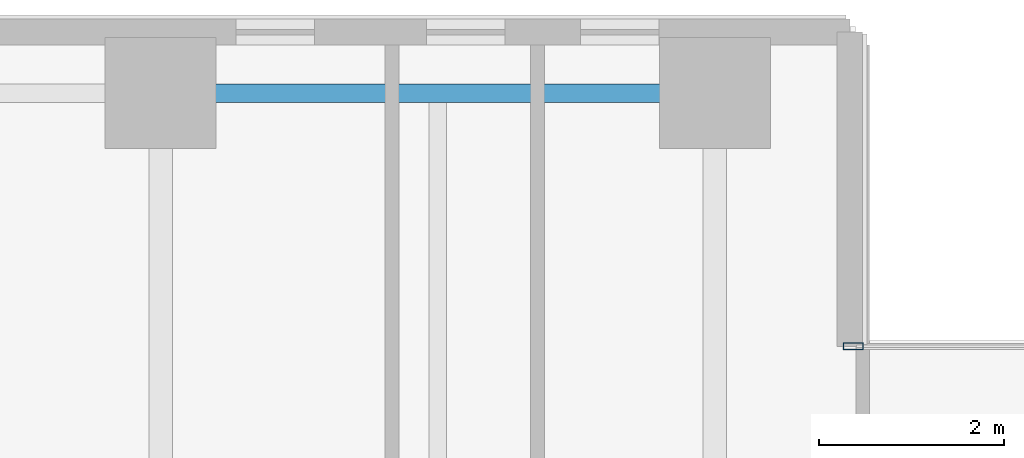
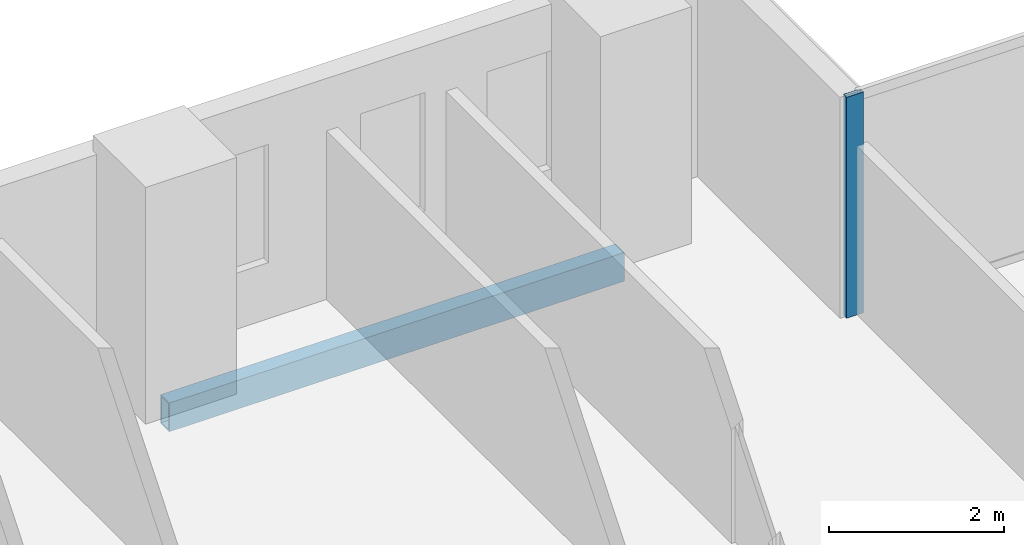
# One storey, part 6 of 26: 1 beam, 1 member, 1 element without a shape of its own.
"""IFC4 building model written with IfcOpenShell, lengths in metres."""

from ifc_helpers import new_model, si_unit, direction, frame, origin, origin_2d, place, context, subcontext, project, spatial, hollow_rectangle, extrude, material, layer, layer_set, material_profile, profile_set, type_object, element, aggregate, save


model = new_model("IFC4")

# Units and contexts
model_context = context("Model", 3, precision=1e-05, world=origin(), true_north=direction((0.0, 1.0)))
body_context = subcontext(model_context, "Body", "Model", "MODEL_VIEW")
ifc_project = project(units=[si_unit("LENGTHUNIT", "METRE"), si_unit("AREAUNIT", "SQUARE_METRE"), si_unit("VOLUMEUNIT", "CUBIC_METRE"), si_unit("PLANEANGLEUNIT", "RADIAN"), si_unit("MASSUNIT", "GRAM", prefix="KILO")], contexts=[model_context])

# Site, building, storey
site_placement = place(None, origin())
site = spatial("IfcSite", under=ifc_project, at=site_placement, CompositionType="ELEMENT")
building_placement = place(site_placement, origin())
building = spatial("IfcBuilding", under=site, at=building_placement, Name="Tanjung Sevakor Pilgrim Tower", CompositionType="ELEMENT")
storey_placement = place(building_placement, frame((0.0, 0.0, 45.5400390625)))
storey = spatial("IfcBuildingStorey", under=building, at=storey_placement, Name="L12", CompositionType="ELEMENT", Elevation=45.5400390625)

# Beam
ifc_material_1 = material(Name="Steel S355J2", Category="steel")
ifc_material_profile_1 = material_profile(ifc_material_1, hollow_rectangle(XDim=0.199951171875, YDim=0.39990234375, WallThickness=0.01611328125, at=origin_2d()))
ifc_profile_set_1 = profile_set([ifc_material_profile_1], Name="Steel S355J2")
beam_type = type_object("IfcBeamType", Name="BM-B-SP2-RHS_400x200x16", PredefinedType="SPANDREL", material=ifc_profile_set_1)
beam_placement = place(storey_placement, frame((36.0, 58.800048828125, -0.419921875), z_axis=(1.0, 0.0, 0.0), x_axis=(0.0, 1.0, 0.0)))
element("IfcBeam", 1, at=beam_placement, inside=storey, type_object=beam_type, Name="L12 Spandrel MAIN N-06", PredefinedType="SPANDREL", context=body_context, shape_type="SweptSolid", body=[
    extrude(hollow_rectangle(XDim=0.199951171875, YDim=0.39990234375, WallThickness=0.01611328125, at=origin_2d()), origin(), (0.0, 0.0, 1.0), 6.0),
])

# Curtain wall, member
ifc_material_2 = material(Name="Aluminium 6063-T6 and Low-E Glass", Category="aluminium")
ifc_layer = layer(ifc_material_2, 0.179931640625)
ifc_layer_set = layer_set([ifc_layer], Name="CW-SYS-CLEFT")
curtain_wall_type = type_object("IfcCurtainWallType", Name="CW-SYS-CLEFT", PredefinedType="NOTDEFINED", material=ifc_layer_set)
curtain_wall_placement = place(storey_placement, origin())
curtain_wall = element("IfcCurtainWall", 2, at=curtain_wall_placement, inside=storey, type_object=curtain_wall_type, Name="L12 Curtain Wall CW-CLF-L12-10", PredefinedType="NOTDEFINED")
ifc_material_3 = material(Name="Aluminium 6063-T6", Category="aluminium")
ifc_material_profile_2 = material_profile(ifc_material_3, hollow_rectangle(XDim=0.074951171875, YDim=0.219970703125, WallThickness=0.0048828125, at=origin_2d()))
ifc_profile_set_2 = profile_set([ifc_material_profile_2], Name="Aluminium 6063-T6")
member_type = type_object("IfcMemberType", Name="TYPE-CWM-2", PredefinedType="MULLION", material=ifc_profile_set_2)
member_placement = place(storey_placement, frame((43.49755859375, 56.06005859375, 0.0), z_axis=(0.0, 0.0, 1.0), x_axis=(0.0, -1.0, 0.0)))
member = element("IfcMember", 3, at=member_placement, type_object=member_type, Name="CW-CLF mullion 2", PredefinedType="MULLION", context=body_context, shape_type="SweptSolid", body=[
    extrude(hollow_rectangle(XDim=0.074951171875, YDim=0.219970703125, WallThickness=0.0048828125, at=origin_2d()), origin(), (0.0, 0.0, 1.0), 3.080078125),
])
aggregate(curtain_wall, [member])

save(model, "model.ifc")
